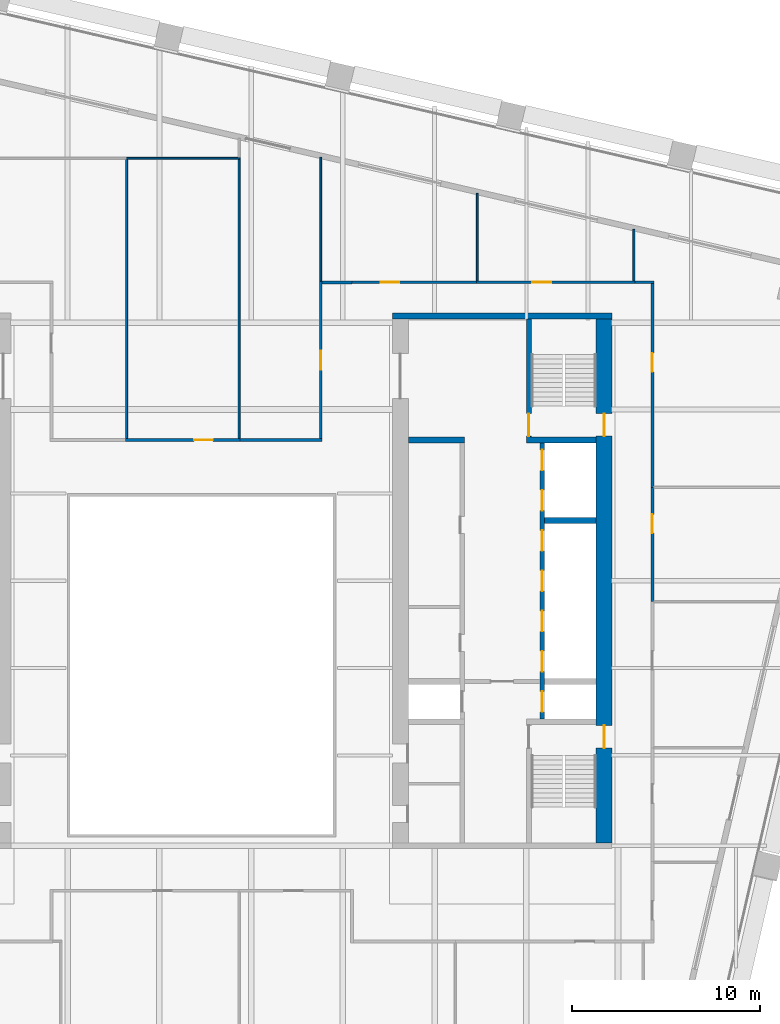
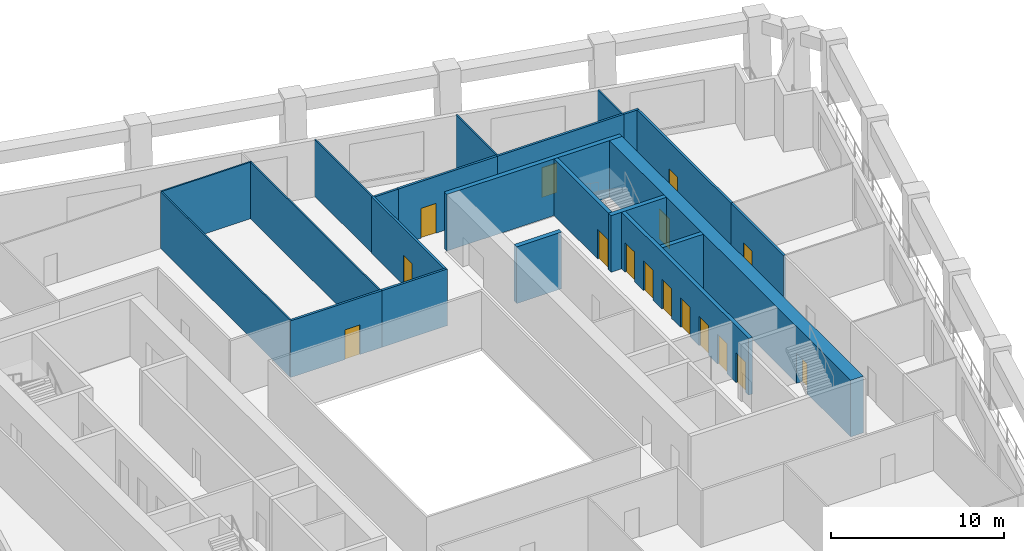
# One storey, part 7 of 10: 22 walls, 16 doors, 16 openings.
"""IFC4 building model written with IfcOpenShell, lengths in metres."""

from ifc_helpers import new_model, si_unit, direction, frame, frame_2d, origin, place, context, subcontext, project, spatial, rectangle, extrude, material, layer, layer_set, type_object, element, fill, save


model = new_model("IFC4")

# Units and contexts
model_context = context("Model", 3, precision=1e-05, world=origin(), true_north=direction((0.0, 1.0)))
body_context = subcontext(model_context, "Body", "Model", "MODEL_VIEW")
ifc_project = project(units=[si_unit("LENGTHUNIT", "METRE"), si_unit("AREAUNIT", "SQUARE_METRE"), si_unit("VOLUMEUNIT", "CUBIC_METRE"), si_unit("PLANEANGLEUNIT", "RADIAN"), si_unit("MASSUNIT", "GRAM", prefix="KILO")], contexts=[model_context])

# Site, building, storey
site_placement = place(None, origin())
site = spatial("IfcSite", under=ifc_project, at=site_placement, CompositionType="ELEMENT")
building_placement = place(site_placement, origin())
building = spatial("IfcBuilding", under=site, at=building_placement, Name="Ogive Exchange Tower", CompositionType="ELEMENT")
storey_placement = place(building_placement, frame((0.0, 0.0, 118.199951171875)))
storey = spatial("IfcBuildingStorey", under=building, at=storey_placement, Name="L25", CompositionType="ELEMENT", Elevation=118.199951171875)

# Wall
ifc_material_1 = material(Name="Gypsum board partition")
ifc_layer_1 = layer(ifc_material_1, 0.300048828125)
ifc_layer_set_1 = layer_set([ifc_layer_1], Name="Core room partition 300 gypsum")
wall_type_1 = type_object("IfcWallType", Name="Core room partition 300 gypsum", PredefinedType="PARTITIONING", material=ifc_layer_set_1)
wall_1_placement = place(storey_placement, frame((11.0, 19.0, 0.0), z_axis=(0.0, 0.0, 1.0), x_axis=(1.0, 0.0, 0.0)))
element("IfcWall", 1, at=wall_1_placement, inside=storey, type_object=wall_type_1, Name="E row B room end wall 7", PredefinedType="PARTITIONING", context=body_context, shape_type="SweptSolid", body=[
    extrude(rectangle(XDim=3.0, YDim=0.300048828125, at=frame_2d((1.5, 0.0))), origin(), (0.0, 0.0, 1.0), 4.0),
])

# Wall, opening, door
ifc_material_2 = material(Name="Fire partition EI 60 150")
ifc_layer_2 = layer(ifc_material_2, 0.14990234375)
ifc_layer_set_2 = layer_set([ifc_layer_2], Name="Fire partition EI 60 150")
wall_type_2 = type_object("IfcWallType", Name="Fire partition EI 60 150", PredefinedType="PARTITIONING", material=ifc_layer_set_2)
wall_2_placement = place(storey_placement, frame((-4.050048828125, 19.0, 0.0), z_axis=(0.0, 0.0, 1.0), x_axis=(1.0, 0.0, 0.0)))
wall_2 = element("IfcWall", 2, at=wall_2_placement, inside=storey, type_object=wall_type_2, Name="L25-PWL-028", PredefinedType="PARTITIONING", context=body_context, shape_type="SweptSolid", body=[
    extrude(rectangle(XDim=6.090087890625, YDim=0.14990234375, at=frame_2d((3.044921875, 0.0))), origin(), (0.0, 0.0, 1.0), 4.0),
])
opening_1_placement = place(wall_2_placement, frame((3.639892578125, 0.0, 0.0)))
opening_1 = element("IfcOpeningElement", 3, at=opening_1_placement, cuts=wall_2, Name="Opening L25-I11", PredefinedType="OPENING", context=body_context, shape_type="SweptSolid", body=[
    extrude(rectangle(XDim=1.0, YDim=2.10009765625, at=frame_2d((0.5, 1.050048828125))), frame((0.0, 0.0849609375, 0.0), z_axis=(0.0, -1.0, 0.0), x_axis=(1.0, 0.0, 0.0)), (0.0, 0.0, 1.0), 0.169921875),
])
ifc_material_3 = material(Name="Fire door FD 30S 1000 x 2100")
door_type_1 = type_object("IfcDoorType", Name="Fire door FD 30S 1000 x 2100", OperationType="NOTDEFINED", PredefinedType="DOOR", material=ifc_material_3)
door_1_placement = place(opening_1_placement, origin())
door_1 = element("IfcDoor", 4, at=door_1_placement, inside=storey, type_object=door_type_1, Name="L25-IDR-011", ObjectType="DT3", OperationType="SINGLE_SWING_LEFT", OverallHeight=2.10009765625, OverallWidth=1.0, PredefinedType="DOOR", context=body_context, shape_type="SweptSolid", body=[
    extrude(rectangle(XDim=1.0, YDim=2.10009765625, at=frame_2d((0.5, 1.050048828125))), frame((0.0, 0.02490234375, 0.0), z_axis=(0.0, -1.0, 0.0), x_axis=(1.0, 0.0, 0.0)), (0.0, 0.0, 1.0), 0.050048828125),
])
fill(opening_1, door_1)

# Wall
wall_3_placement = place(storey_placement, frame((2.0400390625, 19.0, 0.0), z_axis=(0.0, 0.0, 1.0), x_axis=(1.0, 0.0, 0.0)))
element("IfcWall", 5, at=wall_3_placement, inside=storey, type_object=wall_type_2, Name="L25-PWL-034", PredefinedType="PARTITIONING", context=body_context, shape_type="SweptSolid", body=[
    extrude(rectangle(XDim=4.375, YDim=0.14990234375, at=frame_2d((2.1875, 0.0))), origin(), (0.0, 0.0, 1.0), 4.0),
])

# Wall, opening, door
wall_4_placement = place(storey_placement, frame((6.340087890625, 19.074951171875, 0.0), z_axis=(0.0, 0.0, 1.0), x_axis=(0.0, 1.0, 0.0)))
wall_4 = element("IfcWall", 6, at=wall_4_placement, inside=storey, type_object=wall_type_2, Name="L25-PWL-038", PredefinedType="PARTITIONING", context=body_context, shape_type="SweptSolid", body=[
    extrude(rectangle(XDim=8.39013671875, YDim=0.14990234375, at=frame_2d((4.195068359375, 0.0))), origin(), (0.0, 0.0, 1.0), 4.0),
])
opening_2_placement = place(wall_4_placement, frame((3.6650390625, 0.0, 0.0)))
opening_2 = element("IfcOpeningElement", 7, at=opening_2_placement, cuts=wall_4, Name="Opening L25-I12", PredefinedType="OPENING", context=body_context, shape_type="SweptSolid", body=[
    extrude(rectangle(XDim=1.0, YDim=2.10009765625, at=frame_2d((0.5, 1.050048828125))), frame((0.0, 0.0849609375, 0.0), z_axis=(0.0, -1.0, 0.0), x_axis=(1.0, 0.0, 0.0)), (0.0, 0.0, 1.0), 0.169921875),
])
door_2_placement = place(opening_2_placement, origin())
door_2 = element("IfcDoor", 8, at=door_2_placement, inside=storey, type_object=door_type_1, Name="L25-IDR-012", ObjectType="DT3", OperationType="SINGLE_SWING_RIGHT", OverallHeight=2.10009765625, OverallWidth=1.0, PredefinedType="DOOR", context=body_context, shape_type="SweptSolid", body=[
    extrude(rectangle(XDim=1.0, YDim=2.10009765625, at=frame_2d((0.5, 1.050048828125))), frame((0.0, 0.02490234375, 0.0), z_axis=(0.0, -1.0, 0.0), x_axis=(1.0, 0.0, 0.0)), (0.0, 0.0, 1.0), 0.050048828125),
])
fill(opening_2, door_2)

# Wall
wall_5_placement = place(storey_placement, frame((6.4150390625, 27.389892578125, 0.0), z_axis=(0.0, 0.0, 1.0), x_axis=(1.0, 0.0, 0.0)))
element("IfcWall", 9, at=wall_5_placement, inside=storey, type_object=wall_type_2, Name="L25-PWL-039", PredefinedType="PARTITIONING", context=body_context, shape_type="SweptSolid", body=[
    extrude(rectangle(XDim=1.5849609375, YDim=0.14990234375, at=frame_2d((0.79248046875, 0.0))), origin(), (0.0, 0.0, 1.0), 4.0),
])

# Wall, opening, door
wall_6_placement = place(storey_placement, frame((8.0, 27.39990234375, 0.0), z_axis=(0.0, 0.0, 1.0), x_axis=(1.0, 0.0, 0.0)))
wall_6 = element("IfcWall", 10, at=wall_6_placement, inside=storey, type_object=wall_type_2, Name="L25-PWL-043", PredefinedType="PARTITIONING", context=body_context, shape_type="SweptSolid", body=[
    extrude(rectangle(XDim=6.6201171875, YDim=0.14990234375, at=frame_2d((3.31005859375, 0.0))), origin(), (0.0, 0.0, 1.0), 4.0),
])
opening_3_placement = place(wall_6_placement, frame((1.52001953125, 0.0, 0.0)))
opening_3 = element("IfcOpeningElement", 11, at=opening_3_placement, cuts=wall_6, Name="Opening L25-I15", PredefinedType="OPENING", context=body_context, shape_type="SweptSolid", body=[
    extrude(rectangle(XDim=1.0, YDim=2.10009765625, at=frame_2d((0.5, 1.050048828125))), frame((0.0, 0.0849609375, 0.0), z_axis=(0.0, -1.0, 0.0), x_axis=(1.0, 0.0, 0.0)), (0.0, 0.0, 1.0), 0.169921875),
])
door_3_placement = place(opening_3_placement, origin())
door_3 = element("IfcDoor", 12, at=door_3_placement, inside=storey, type_object=door_type_1, Name="L25-IDR-015", ObjectType="DT3", OperationType="SINGLE_SWING_RIGHT", OverallHeight=2.10009765625, OverallWidth=1.0, PredefinedType="DOOR", context=body_context, shape_type="SweptSolid", body=[
    extrude(rectangle(XDim=1.0, YDim=2.10009765625, at=frame_2d((0.5, 1.050048828125))), frame((0.0, 0.02490234375, 0.0), z_axis=(0.0, -1.0, 0.0), x_axis=(1.0, 0.0, 0.0)), (0.0, 0.0, 1.0), 0.050048828125),
])
fill(opening_3, door_3)

wall_7_placement = place(storey_placement, frame((14.6201171875, 27.39990234375, 0.0), z_axis=(0.0, 0.0, 1.0), x_axis=(1.0, 0.0, 0.0)))
wall_7 = element("IfcWall", 13, at=wall_7_placement, inside=storey, type_object=wall_type_2, Name="L25-PWL-049", PredefinedType="PARTITIONING", context=body_context, shape_type="SweptSolid", body=[
    extrude(rectangle(XDim=8.43994140625, YDim=0.14990234375, at=frame_2d((4.219970703125, 0.0))), origin(), (0.0, 0.0, 1.0), 4.0),
])
opening_4_placement = place(wall_7_placement, frame((2.989990234375, 0.0, 0.0)))
opening_4 = element("IfcOpeningElement", 14, at=opening_4_placement, cuts=wall_7, Name="Opening L25-I16", PredefinedType="OPENING", context=body_context, shape_type="SweptSolid", body=[
    extrude(rectangle(XDim=1.0, YDim=2.10009765625, at=frame_2d((0.5, 1.050048828125))), frame((0.0, 0.0849609375, 0.0), z_axis=(0.0, -1.0, 0.0), x_axis=(1.0, 0.0, 0.0)), (0.0, 0.0, 1.0), 0.169921875),
])
door_4_placement = place(opening_4_placement, origin())
door_4 = element("IfcDoor", 15, at=door_4_placement, inside=storey, type_object=door_type_1, Name="L25-IDR-016", ObjectType="DT3", OperationType="SINGLE_SWING_RIGHT", OverallHeight=2.10009765625, OverallWidth=1.0, PredefinedType="DOOR", context=body_context, shape_type="SweptSolid", body=[
    extrude(rectangle(XDim=1.0, YDim=2.10009765625, at=frame_2d((0.5, 1.050048828125))), frame((0.0, 0.02490234375, 0.0), z_axis=(0.0, -1.0, 0.0), x_axis=(1.0, 0.0, 0.0)), (0.0, 0.0, 1.0), 0.050048828125),
])
fill(opening_4, door_4)

# Wall
wall_8_placement = place(storey_placement, frame((23.06005859375, 27.39990234375, 0.0), z_axis=(0.0, 0.0, 1.0), x_axis=(1.0, 0.0, 0.0)))
element("IfcWall", 16, at=wall_8_placement, inside=storey, type_object=wall_type_2, Name="L25-PWL-051", PredefinedType="PARTITIONING", context=body_context, shape_type="SweptSolid", body=[
    extrude(rectangle(XDim=1.014892578125, YDim=0.14990234375, at=frame_2d((0.50732421875, 0.0))), origin(), (0.0, 0.0, 1.0), 4.0),
])

# Wall, opening, door
wall_9_placement = place(storey_placement, frame((24.0, 16.47998046875, 0.0), z_axis=(0.0, 0.0, 1.0), x_axis=(0.0, -1.0, 0.0)))
wall_9 = element("IfcWall", 17, at=wall_9_placement, inside=storey, type_object=wall_type_2, Name="L25-PWL-063", PredefinedType="PARTITIONING", context=body_context, shape_type="SweptSolid", body=[
    extrude(rectangle(XDim=6.090087890625, YDim=0.14990234375, at=frame_2d((3.044921875, 0.0))), origin(), (0.0, 0.0, 1.0), 4.0),
])
opening_5_placement = place(wall_9_placement, frame((1.43994140625, 0.0, 0.0)))
opening_5 = element("IfcOpeningElement", 18, at=opening_5_placement, cuts=wall_9, Name="Opening L25-I14", PredefinedType="OPENING", context=body_context, shape_type="SweptSolid", body=[
    extrude(rectangle(XDim=1.0, YDim=2.10009765625, at=frame_2d((0.5, 1.050048828125))), frame((0.0, 0.0849609375, 0.0), z_axis=(0.0, -1.0, 0.0), x_axis=(1.0, 0.0, 0.0)), (0.0, 0.0, 1.0), 0.169921875),
])
door_5_placement = place(opening_5_placement, origin())
door_5 = element("IfcDoor", 19, at=door_5_placement, inside=storey, type_object=door_type_1, Name="L25-IDR-014", ObjectType="DT3", OperationType="SINGLE_SWING_RIGHT", OverallHeight=2.10009765625, OverallWidth=1.0, PredefinedType="DOOR", context=body_context, shape_type="SweptSolid", body=[
    extrude(rectangle(XDim=1.0, YDim=2.10009765625, at=frame_2d((0.5, 1.050048828125))), frame((0.0, 0.02490234375, 0.0), z_axis=(0.0, -1.0, 0.0), x_axis=(1.0, 0.0, 0.0)), (0.0, 0.0, 1.0), 0.050048828125),
])
fill(opening_5, door_5)

wall_10_placement = place(storey_placement, frame((24.0, 27.324951171875, 0.0), z_axis=(0.0, 0.0, 1.0), x_axis=(0.0, -1.0, 0.0)))
wall_10 = element("IfcWall", 20, at=wall_10_placement, inside=storey, type_object=wall_type_2, Name="L25-PWL-065", PredefinedType="PARTITIONING", context=body_context, shape_type="SweptSolid", body=[
    extrude(rectangle(XDim=10.844970703125, YDim=0.14990234375, at=frame_2d((5.42236328125, 0.0))), origin(), (0.0, 0.0, 1.0), 4.0),
])
opening_6_placement = place(wall_10_placement, frame((3.695068359375, 0.0, 0.0)))
opening_6 = element("IfcOpeningElement", 21, at=opening_6_placement, cuts=wall_10, Name="Opening L25-I17", PredefinedType="OPENING", context=body_context, shape_type="SweptSolid", body=[
    extrude(rectangle(XDim=1.0, YDim=2.10009765625, at=frame_2d((0.5, 1.050048828125))), frame((0.0, 0.0849609375, 0.0), z_axis=(0.0, -1.0, 0.0), x_axis=(1.0, 0.0, 0.0)), (0.0, 0.0, 1.0), 0.169921875),
])
door_6_placement = place(opening_6_placement, origin())
door_6 = element("IfcDoor", 22, at=door_6_placement, inside=storey, type_object=door_type_1, Name="L25-IDR-017", ObjectType="DT3", OperationType="SINGLE_SWING_RIGHT", OverallHeight=2.10009765625, OverallWidth=1.0, PredefinedType="DOOR", context=body_context, shape_type="SweptSolid", body=[
    extrude(rectangle(XDim=1.0, YDim=2.10009765625, at=frame_2d((0.5, 1.050048828125))), frame((0.0, 0.02490234375, 0.0), z_axis=(0.0, -1.0, 0.0), x_axis=(1.0, 0.0, 0.0)), (0.0, 0.0, 1.0), 0.050048828125),
])
fill(opening_6, door_6)

# Walls
ifc_material_4 = material(Name="Partition 100 gypsum")
ifc_layer_3 = layer(ifc_material_4, 0.10009765625)
ifc_layer_set_3 = layer_set([ifc_layer_3], Name="Partition 100 gypsum")
wall_type_3 = type_object("IfcWallType", Name="Partition 100 gypsum", PredefinedType="PARTITIONING", material=ifc_layer_set_3)
wall_11_placement = place(storey_placement, frame((-4.0, 33.949951171875, 0.0), z_axis=(0.0, 0.0, 1.0), x_axis=(0.0, -1.0, 0.0)))
element("IfcWall", 23, at=wall_11_placement, inside=storey, type_object=wall_type_3, Name="L25-PWL-030", PredefinedType="PARTITIONING", context=body_context, shape_type="SweptSolid", body=[
    extrude(rectangle(XDim=14.875, YDim=0.10009765625, at=frame_2d((7.4375, 0.0))), origin(), (0.0, 0.0, 1.0), 4.0),
])
wall_12_placement = place(storey_placement, frame((2.0400390625, 34.0, 0.0), z_axis=(0.0, 0.0, 1.0), x_axis=(-1.0, 0.0, 0.0)))
element("IfcWall", 24, at=wall_12_placement, inside=storey, type_object=wall_type_3, Name="L25-PWL-035", PredefinedType="PARTITIONING", context=body_context, shape_type="SweptSolid", body=[
    extrude(rectangle(XDim=6.0400390625, YDim=0.10009765625, at=frame_2d((3.02001953125, 0.0))), origin(), (0.0, 0.0, 1.0), 4.0),
])
wall_13_placement = place(storey_placement, frame((1.989990234375, 33.949951171875, 0.0), z_axis=(0.0, 0.0, 1.0), x_axis=(0.0, -1.0, 0.0)))
element("IfcWall", 25, at=wall_13_placement, inside=storey, type_object=wall_type_3, Name="L25-PWL-036", PredefinedType="PARTITIONING", context=body_context, shape_type="SweptSolid", body=[
    extrude(rectangle(XDim=14.875, YDim=0.10009765625, at=frame_2d((7.4375, 0.0))), origin(), (0.0, 0.0, 1.0), 4.0),
])
wall_14_placement = place(storey_placement, frame((6.340087890625, 34.06103515625, 0.0), z_axis=(0.0, 0.0, 1.0), x_axis=(0.0, -1.0, 0.0)))
element("IfcWall", 26, at=wall_14_placement, inside=storey, type_object=wall_type_3, Name="L25-PWL-040", PredefinedType="PARTITIONING", context=body_context, shape_type="SweptSolid", body=[
    extrude(rectangle(XDim=6.595947265625, YDim=0.10009765625, at=frame_2d((3.2978515625, 0.0))), origin(), (0.0, 0.0, 1.0), 4.0),
])
wall_15_placement = place(storey_placement, frame((14.669921875, 32.137939453125, 0.0), z_axis=(0.0, 0.0, 1.0), x_axis=(0.0, -1.0, 0.0)))
element("IfcWall", 27, at=wall_15_placement, inside=storey, type_object=wall_type_3, Name="L25-PWL-050", PredefinedType="PARTITIONING", context=body_context, shape_type="SweptSolid", body=[
    extrude(rectangle(XDim=4.662841796875, YDim=0.10009765625, at=frame_2d((2.33154296875, 0.0))), origin(), (0.0, 0.0, 1.0), 4.0),
])
wall_16_placement = place(storey_placement, frame((23.010009765625, 30.2119140625, 0.0), z_axis=(0.0, 0.0, 1.0), x_axis=(0.0, -1.0, 0.0)))
element("IfcWall", 28, at=wall_16_placement, inside=storey, type_object=wall_type_3, Name="L25-PWL-052", PredefinedType="PARTITIONING", context=body_context, shape_type="SweptSolid", body=[
    extrude(rectangle(XDim=2.73681640625, YDim=0.10009765625, at=frame_2d((1.368408203125, 0.0))), origin(), (0.0, 0.0, 1.0), 4.0),
])

# Wall, opening, door
ifc_material_5 = material(Name="Concrete C70/85", Category="concrete")
ifc_layer_4 = layer(ifc_material_5, 0.25)
ifc_layer_set_4 = layer_set([ifc_layer_4], Name="RC core wall 250 C70/85")
wall_type_4 = type_object("IfcWallType", Name="RC core wall 250 C70/85", PredefinedType="SHEAR", material=ifc_layer_set_4)
wall_17_placement = place(storey_placement, frame((17.425048828125, 19.14990234375, 0.0), z_axis=(0.0, 0.0, 1.0), x_axis=(0.0, 1.0, 0.0)))
wall_17 = element("IfcWall", 29, at=wall_17_placement, inside=storey, type_object=wall_type_4, Name="E stair N front wall", PredefinedType="SHEAR", context=body_context, shape_type="SweptSolid", body=[
    extrude(rectangle(XDim=6.300048828125, YDim=0.25, at=frame_2d((3.14990234375, 0.0))), origin(), (0.0, 0.0, 1.0), 4.0),
])
opening_7_placement = place(wall_17_placement, frame((0.050048828125, 0.0, 0.0)))
opening_7 = element("IfcOpeningElement", 30, at=opening_7_placement, cuts=wall_17, Name="Opening L25-C32", PredefinedType="OPENING", context=body_context, shape_type="SweptSolid", body=[
    extrude(rectangle(XDim=1.199951171875, YDim=2.10009765625, at=frame_2d((0.60009765625, 1.050048828125))), frame((0.0, 0.135009765625, 0.0), z_axis=(0.0, -1.0, 0.0), x_axis=(1.0, 0.0, 0.0)), (0.0, 0.0, 1.0), 0.27001953125),
])
ifc_material_6 = material(Name="Steel fire door", Category="steel")
door_type_2 = type_object("IfcDoorType", Name="Stair door FD90 1200 x 2100", OperationType="NOTDEFINED", PredefinedType="DOOR", material=ifc_material_6)
door_7_placement = place(opening_7_placement, frame((1.199951171875, 0.0, 0.0), z_axis=(0.0, 0.0, 1.0), x_axis=(-1.0, 0.0, 0.0)))
door_7 = element("IfcDoor", 31, at=door_7_placement, inside=storey, type_object=door_type_2, Name="Stair door", ObjectType="CD5", OperationType="SINGLE_SWING_LEFT", OverallHeight=2.10009765625, OverallWidth=1.199951171875, PredefinedType="DOOR", context=body_context, shape_type="SweptSolid", body=[
    extrude(rectangle(XDim=1.199951171875, YDim=2.10009765625, at=frame_2d((0.60009765625, 1.050048828125))), frame((0.0, 0.02490234375, 0.0), z_axis=(0.0, -1.0, 0.0), x_axis=(1.0, 0.0, 0.0)), (0.0, 0.0, 1.0), 0.050048828125),
])
fill(opening_7, door_7)

# Wall, openings, doors
wall_18_placement = place(storey_placement, frame((18.125, 4.14990234375, 0.0), z_axis=(0.0, 0.0, 1.0), x_axis=(0.0, 1.0, 0.0)))
wall_18 = element("IfcWall", 32, at=wall_18_placement, inside=storey, type_object=wall_type_4, Name="E row A front wall", PredefinedType="SHEAR", context=body_context, shape_type="SweptSolid", body=[
    extrude(rectangle(XDim=14.7001953125, YDim=0.25, at=frame_2d((7.35009765625, 0.0))), origin(), (0.0, 0.0, 1.0), 4.0),
])
opening_8_placement = place(wall_18_placement, frame((0.371337890625, 0.0, 0.0)))
opening_8 = element("IfcOpeningElement", 33, at=opening_8_placement, cuts=wall_18, Name="Opening L25-C18", PredefinedType="OPENING", context=body_context, shape_type="SweptSolid", body=[
    extrude(rectangle(XDim=1.10009765625, YDim=2.10009765625, at=frame_2d((0.550048828125, 1.050048828125))), frame((0.0, 0.135009765625, 0.0), z_axis=(0.0, -1.0, 0.0), x_axis=(1.0, 0.0, 0.0)), (0.0, 0.0, 1.0), 0.27001953125),
])
opening_9_placement = place(wall_18_placement, frame((2.514404296875, 0.0, 0.0)))
opening_9 = element("IfcOpeningElement", 34, at=opening_9_placement, cuts=wall_18, Name="Opening L25-C19", PredefinedType="OPENING", context=body_context, shape_type="SweptSolid", body=[
    extrude(rectangle(XDim=1.10009765625, YDim=2.10009765625, at=frame_2d((0.550048828125, 1.050048828125))), frame((0.0, 0.135009765625, 0.0), z_axis=(0.0, -1.0, 0.0), x_axis=(1.0, 0.0, 0.0)), (0.0, 0.0, 1.0), 0.27001953125),
])
opening_10_placement = place(wall_18_placement, frame((4.656982421875, 0.0, 0.0)))
opening_10 = element("IfcOpeningElement", 35, at=opening_10_placement, cuts=wall_18, Name="Opening L25-C20", PredefinedType="OPENING", context=body_context, shape_type="SweptSolid", body=[
    extrude(rectangle(XDim=1.10009765625, YDim=2.10009765625, at=frame_2d((0.550048828125, 1.050048828125))), frame((0.0, 0.135009765625, 0.0), z_axis=(0.0, -1.0, 0.0), x_axis=(1.0, 0.0, 0.0)), (0.0, 0.0, 1.0), 0.27001953125),
])
opening_11_placement = place(wall_18_placement, frame((6.800048828125, 0.0, 0.0)))
opening_11 = element("IfcOpeningElement", 36, at=opening_11_placement, cuts=wall_18, Name="Opening L25-C21", PredefinedType="OPENING", context=body_context, shape_type="SweptSolid", body=[
    extrude(rectangle(XDim=1.10009765625, YDim=2.10009765625, at=frame_2d((0.550048828125, 1.050048828125))), frame((0.0, 0.135009765625, 0.0), z_axis=(0.0, -1.0, 0.0), x_axis=(1.0, 0.0, 0.0)), (0.0, 0.0, 1.0), 0.27001953125),
])
opening_12_placement = place(wall_18_placement, frame((8.94287109375, 0.0, 0.0)))
opening_12 = element("IfcOpeningElement", 37, at=opening_12_placement, cuts=wall_18, Name="Opening L25-C22", PredefinedType="OPENING", context=body_context, shape_type="SweptSolid", body=[
    extrude(rectangle(XDim=1.10009765625, YDim=2.10009765625, at=frame_2d((0.550048828125, 1.050048828125))), frame((0.0, 0.135009765625, 0.0), z_axis=(0.0, -1.0, 0.0), x_axis=(1.0, 0.0, 0.0)), (0.0, 0.0, 1.0), 0.27001953125),
])
opening_13_placement = place(wall_18_placement, frame((11.085693359375, 0.0, 0.0)))
opening_13 = element("IfcOpeningElement", 38, at=opening_13_placement, cuts=wall_18, Name="Opening L25-C23", PredefinedType="OPENING", context=body_context, shape_type="SweptSolid", body=[
    extrude(rectangle(XDim=1.10009765625, YDim=2.10009765625, at=frame_2d((0.550048828125, 1.050048828125))), frame((0.0, 0.135009765625, 0.0), z_axis=(0.0, -1.0, 0.0), x_axis=(1.0, 0.0, 0.0)), (0.0, 0.0, 1.0), 0.27001953125),
])
opening_14_placement = place(wall_18_placement, frame((13.228515625, 0.0, 0.0)))
opening_14 = element("IfcOpeningElement", 39, at=opening_14_placement, cuts=wall_18, Name="Opening L25-C24", PredefinedType="OPENING", context=body_context, shape_type="SweptSolid", body=[
    extrude(rectangle(XDim=1.10009765625, YDim=2.10009765625, at=frame_2d((0.550048828125, 1.050048828125))), frame((0.0, 0.135009765625, 0.0), z_axis=(0.0, -1.0, 0.0), x_axis=(1.0, 0.0, 0.0)), (0.0, 0.0, 1.0), 0.27001953125),
])
ifc_material_7 = material(Name="Stainless steel", Category="steel")
door_type_3 = type_object("IfcDoorType", Name="Lift landing door FD90 1100 x 2100", OperationType="SLIDING_TO_LEFT", PredefinedType="DOOR", material=ifc_material_7)
door_8_placement = place(opening_8_placement, origin())
door_8 = element("IfcDoor", 40, at=door_8_placement, inside=storey, type_object=door_type_3, Name="Lift landing door FF2", ObjectType="LD", OperationType="SLIDING_TO_LEFT", OverallHeight=2.10009765625, OverallWidth=1.10009765625, PredefinedType="DOOR", context=body_context, shape_type="SweptSolid", body=[
    extrude(rectangle(XDim=1.10009765625, YDim=2.10009765625, at=frame_2d((0.550048828125, 1.050048828125))), frame((0.0, 0.02490234375, 0.0), z_axis=(0.0, -1.0, 0.0), x_axis=(1.0, 0.0, 0.0)), (0.0, 0.0, 1.0), 0.050048828125),
])
fill(opening_8, door_8)
door_9_placement = place(opening_9_placement, origin())
door_9 = element("IfcDoor", 41, at=door_9_placement, inside=storey, type_object=door_type_3, Name="Lift landing door E-L1", ObjectType="LD", OperationType="SLIDING_TO_LEFT", OverallHeight=2.10009765625, OverallWidth=1.10009765625, PredefinedType="DOOR", context=body_context, shape_type="SweptSolid", body=[
    extrude(rectangle(XDim=1.10009765625, YDim=2.10009765625, at=frame_2d((0.550048828125, 1.050048828125))), frame((0.0, 0.02490234375, 0.0), z_axis=(0.0, -1.0, 0.0), x_axis=(1.0, 0.0, 0.0)), (0.0, 0.0, 1.0), 0.050048828125),
])
fill(opening_9, door_9)
door_10_placement = place(opening_10_placement, origin())
door_10 = element("IfcDoor", 42, at=door_10_placement, inside=storey, type_object=door_type_3, Name="Lift landing door E-L2", ObjectType="LD", OperationType="SLIDING_TO_LEFT", OverallHeight=2.10009765625, OverallWidth=1.10009765625, PredefinedType="DOOR", context=body_context, shape_type="SweptSolid", body=[
    extrude(rectangle(XDim=1.10009765625, YDim=2.10009765625, at=frame_2d((0.550048828125, 1.050048828125))), frame((0.0, 0.02490234375, 0.0), z_axis=(0.0, -1.0, 0.0), x_axis=(1.0, 0.0, 0.0)), (0.0, 0.0, 1.0), 0.050048828125),
])
fill(opening_10, door_10)
door_11_placement = place(opening_11_placement, origin())
door_11 = element("IfcDoor", 43, at=door_11_placement, inside=storey, type_object=door_type_3, Name="Lift landing door E-L3", ObjectType="LD", OperationType="SLIDING_TO_LEFT", OverallHeight=2.10009765625, OverallWidth=1.10009765625, PredefinedType="DOOR", context=body_context, shape_type="SweptSolid", body=[
    extrude(rectangle(XDim=1.10009765625, YDim=2.10009765625, at=frame_2d((0.550048828125, 1.050048828125))), frame((0.0, 0.02490234375, 0.0), z_axis=(0.0, -1.0, 0.0), x_axis=(1.0, 0.0, 0.0)), (0.0, 0.0, 1.0), 0.050048828125),
])
fill(opening_11, door_11)
door_12_placement = place(opening_12_placement, origin())
door_12 = element("IfcDoor", 44, at=door_12_placement, inside=storey, type_object=door_type_3, Name="Lift landing door E-L4", ObjectType="LD", OperationType="SLIDING_TO_LEFT", OverallHeight=2.10009765625, OverallWidth=1.10009765625, PredefinedType="DOOR", context=body_context, shape_type="SweptSolid", body=[
    extrude(rectangle(XDim=1.10009765625, YDim=2.10009765625, at=frame_2d((0.550048828125, 1.050048828125))), frame((0.0, 0.02490234375, 0.0), z_axis=(0.0, -1.0, 0.0), x_axis=(1.0, 0.0, 0.0)), (0.0, 0.0, 1.0), 0.050048828125),
])
fill(opening_12, door_12)
door_13_placement = place(opening_13_placement, origin())
door_13 = element("IfcDoor", 45, at=door_13_placement, inside=storey, type_object=door_type_3, Name="Lift landing door E-SH1", ObjectType="LD", OperationType="SLIDING_TO_LEFT", OverallHeight=2.10009765625, OverallWidth=1.10009765625, PredefinedType="DOOR", context=body_context, shape_type="SweptSolid", body=[
    extrude(rectangle(XDim=1.10009765625, YDim=2.10009765625, at=frame_2d((0.550048828125, 1.050048828125))), frame((0.0, 0.02490234375, 0.0), z_axis=(0.0, -1.0, 0.0), x_axis=(1.0, 0.0, 0.0)), (0.0, 0.0, 1.0), 0.050048828125),
])
fill(opening_13, door_13)
door_14_placement = place(opening_14_placement, origin())
door_14 = element("IfcDoor", 46, at=door_14_placement, inside=storey, type_object=door_type_3, Name="Lift landing door E-SH2", ObjectType="LD", OperationType="SLIDING_TO_LEFT", OverallHeight=2.10009765625, OverallWidth=1.10009765625, PredefinedType="DOOR", context=body_context, shape_type="SweptSolid", body=[
    extrude(rectangle(XDim=1.10009765625, YDim=2.10009765625, at=frame_2d((0.550048828125, 1.050048828125))), frame((0.0, 0.02490234375, 0.0), z_axis=(0.0, -1.0, 0.0), x_axis=(1.0, 0.0, 0.0)), (0.0, 0.0, 1.0), 0.050048828125),
])
fill(opening_14, door_14)

# Walls
ifc_layer_5 = layer(ifc_material_5, 0.300048828125)
ifc_layer_set_5 = layer_set([ifc_layer_5], Name="RC core wall 300 C70/85")
wall_type_5 = type_object("IfcWallType", Name="RC core wall 300 C70/85", PredefinedType="SHEAR", material=ifc_layer_set_5)
wall_19_placement = place(storey_placement, frame((10.14990234375, 25.60009765625, 0.0), z_axis=(0.0, 0.0, 1.0), x_axis=(1.0, 0.0, 0.0)))
element("IfcWall", 47, at=wall_19_placement, inside=storey, type_object=wall_type_5, Name="E north end wall", PredefinedType="SHEAR", context=body_context, shape_type="SweptSolid", body=[
    extrude(rectangle(XDim=11.7001953125, YDim=0.300048828125, at=frame_2d((5.85009765625, 0.0))), origin(), (0.0, 0.0, 1.0), 4.0),
])
wall_20_placement = place(storey_placement, frame((17.300048828125, 19.0, 0.0), z_axis=(0.0, 0.0, 1.0), x_axis=(1.0, 0.0, 0.0)))
element("IfcWall", 48, at=wall_20_placement, inside=storey, type_object=wall_type_5, Name="E stair N south wall", PredefinedType="SHEAR", context=body_context, shape_type="SweptSolid", body=[
    extrude(rectangle(XDim=3.699951171875, YDim=0.300048828125, at=frame_2d((1.85009765625, 0.0))), origin(), (0.0, 0.0, 1.0), 4.0),
])
wall_21_placement = place(storey_placement, frame((18.25, 14.71435546875, 0.0), z_axis=(0.0, 0.0, 1.0), x_axis=(1.0, 0.0, 0.0)))
element("IfcWall", 49, at=wall_21_placement, inside=storey, type_object=wall_type_5, Name="E row A divider 5", PredefinedType="SHEAR", context=body_context, shape_type="SweptSolid", body=[
    extrude(rectangle(XDim=2.75, YDim=0.300048828125, at=frame_2d((1.375, 0.0))), origin(), (0.0, 0.0, 1.0), 4.0),
])

# Wall, openings, doors
ifc_layer_6 = layer(ifc_material_5, 0.85009765625)
ifc_layer_set_6 = layer_set([ifc_layer_6], Name="RC core wall 850 C70/85")
wall_type_6 = type_object("IfcWallType", Name="RC core wall 850 C70/85", PredefinedType="SHEAR", material=ifc_layer_set_6)
wall_22_placement = place(storey_placement, frame((21.425048828125, -2.449951171875, 0.0), z_axis=(0.0, 0.0, 1.0), x_axis=(0.0, 1.0, 0.0)))
wall_22 = element("IfcWall", 50, at=wall_22_placement, inside=storey, type_object=wall_type_6, Name="E outer wall", PredefinedType="SHEAR", context=body_context, shape_type="SweptSolid", body=[
    extrude(rectangle(XDim=27.89990234375, YDim=0.85009765625, at=frame_2d((13.949951171875, 0.0))), origin(), (0.0, 0.0, 1.0), 4.0),
])
opening_15_placement = place(wall_22_placement, frame((5.050048828125, 0.0, 0.0)))
opening_15 = element("IfcOpeningElement", 51, at=opening_15_placement, cuts=wall_22, Name="Opening L25-C31", PredefinedType="OPENING", context=body_context, shape_type="SweptSolid", body=[
    extrude(rectangle(XDim=1.199951171875, YDim=2.10009765625, at=frame_2d((0.60009765625, 1.050048828125))), frame((0.0, 0.43505859375, 0.0), z_axis=(0.0, -1.0, 0.0), x_axis=(1.0, 0.0, 0.0)), (0.0, 0.0, 1.0), 0.8701171875),
])
opening_16_placement = place(wall_22_placement, frame((21.64990234375, 0.0, 0.0)))
opening_16 = element("IfcOpeningElement", 52, at=opening_16_placement, cuts=wall_22, Name="Opening L25-C33", PredefinedType="OPENING", context=body_context, shape_type="SweptSolid", body=[
    extrude(rectangle(XDim=1.199951171875, YDim=2.10009765625, at=frame_2d((0.60009765625, 1.050048828125))), frame((0.0, 0.43505859375, 0.0), z_axis=(0.0, -1.0, 0.0), x_axis=(1.0, 0.0, 0.0)), (0.0, 0.0, 1.0), 0.8701171875),
])
door_15_placement = place(opening_15_placement, origin())
door_15 = element("IfcDoor", 53, at=door_15_placement, inside=storey, type_object=door_type_2, Name="Stair door", ObjectType="CD5", OperationType="SINGLE_SWING_LEFT", OverallHeight=2.10009765625, OverallWidth=1.199951171875, PredefinedType="DOOR", context=body_context, shape_type="SweptSolid", body=[
    extrude(rectangle(XDim=1.199951171875, YDim=2.10009765625, at=frame_2d((0.60009765625, 1.050048828125))), frame((0.0, 0.02490234375, 0.0), z_axis=(0.0, -1.0, 0.0), x_axis=(1.0, 0.0, 0.0)), (0.0, 0.0, 1.0), 0.050048828125),
])
fill(opening_15, door_15)
door_16_placement = place(opening_16_placement, origin())
door_16 = element("IfcDoor", 54, at=door_16_placement, inside=storey, type_object=door_type_2, Name="Stair door", ObjectType="CD5", OperationType="SINGLE_SWING_RIGHT", OverallHeight=2.10009765625, OverallWidth=1.199951171875, PredefinedType="DOOR", context=body_context, shape_type="SweptSolid", body=[
    extrude(rectangle(XDim=1.199951171875, YDim=2.10009765625, at=frame_2d((0.60009765625, 1.050048828125))), frame((0.0, 0.02490234375, 0.0), z_axis=(0.0, -1.0, 0.0), x_axis=(1.0, 0.0, 0.0)), (0.0, 0.0, 1.0), 0.050048828125),
])
fill(opening_16, door_16)

save(model, "model.ifc")
